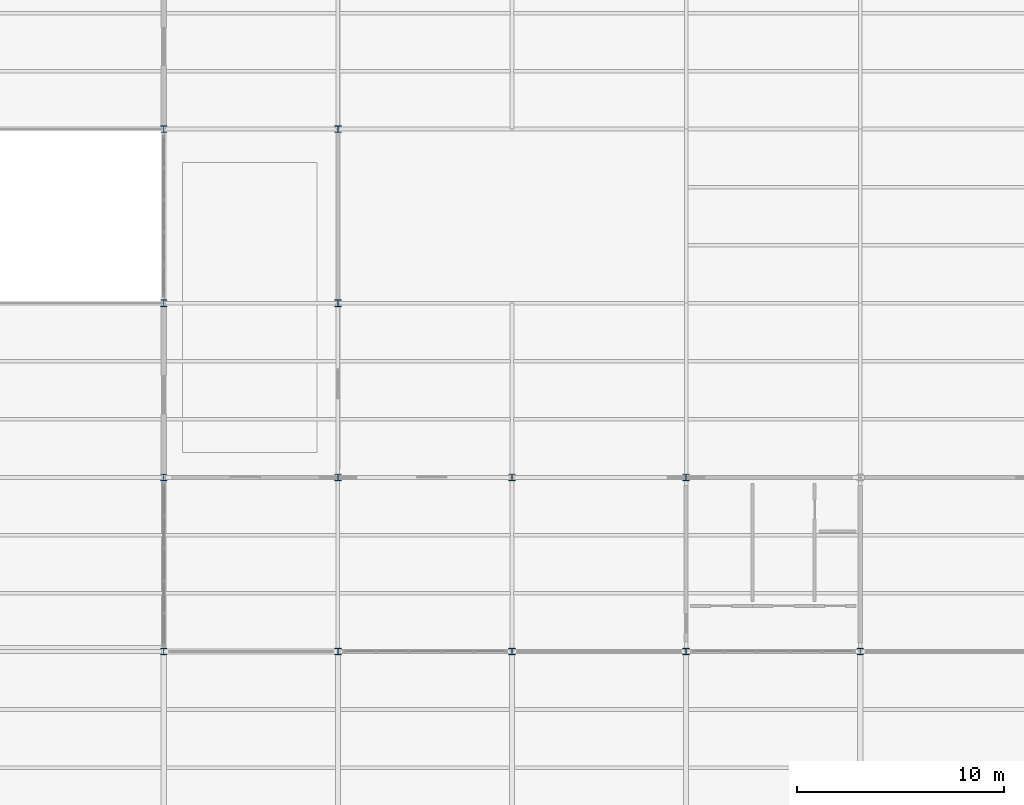
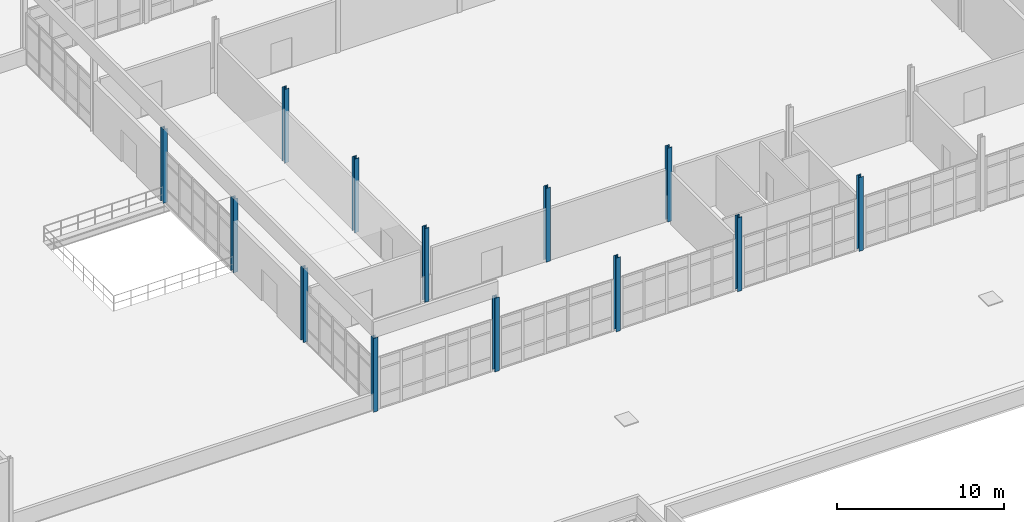
# One storey, part 2 of 33: 13 columns.
"""IFC4 building model written with IfcOpenShell, lengths in metres."""

import ifcopenshell
import ifcopenshell.guid

model = None  # the IFC model being written
_history = None  # IfcOwnerHistory: only IFC2X3 demands one
_inside = {}  # id of a spatial element -> (the spatial element, [elements in it])
_under = {}  # id of a project, library or spatial element -> (it, [spatial elements below it])
_declared = {}  # id of a project -> (the project, [libraries it declares])
_typed = {}  # id of a type object -> (the type object, [elements of that type])
_made_of = {}  # id of a material, layer set ... -> (it, [elements and type objects made of it])


def new_model(schema):
    """Start an empty IFC model of exactly this schema.

    Asked for "IFC4X3", IfcOpenShell would pick the latest addendum, in which some entities
    have other attributes; the version numbers below select the first issue.
    IFC2X3 requires an IfcOwnerHistory on every rooted entity: one is made here for all.
    """
    global model, _history
    if schema == "IFC4X3":
        model = ifcopenshell.file(schema_version=(4, 3, 0, 0))
    else:
        model = ifcopenshell.file(schema=schema)
    _inside.clear()
    _under.clear()
    _declared.clear()
    _typed.clear()
    _made_of.clear()
    _history = None
    if model.schema == "IFC2X3":
        org = make("IfcOrganization", Name="unknown")
        user = make(
            "IfcPersonAndOrganization",
            ThePerson=make("IfcPerson", FamilyName="unknown"),
            TheOrganization=org,
        )
        app = make(
            "IfcApplication",
            ApplicationDeveloper=org,
            Version="unknown",
            ApplicationFullName="unknown",
            ApplicationIdentifier="unknown",
        )
        _history = make(
            "IfcOwnerHistory",
            OwningUser=user,
            OwningApplication=app,
            ChangeAction="ADDED",
            CreationDate=0,
        )
    return model


def make(cls, **values):
    """One entity of the class cls with the attributes given. An attribute that is None is left unset."""
    return model.create_entity(
        cls, **{name: value for name, value in values.items() if value is not None}
    )


def rooted(cls, **values):
    """An entity with a GlobalId (a new one), such as an element, a storey or a relation."""
    return make(cls, GlobalId=ifcopenshell.guid.new(), OwnerHistory=_history, **values)


def si_unit(unit_type, name, prefix=None):
    """IfcSIUnit, for example si_unit("LENGTHUNIT", "METRE", prefix="MILLI")."""
    return make("IfcSIUnit", UnitType=unit_type, Prefix=prefix, Name=name)


def assignment(units):
    """IfcUnitAssignment: the units of a project."""
    return None if units is None else make("IfcUnitAssignment", Units=units)


def point(xyz):
    """IfcCartesianPoint."""
    return None if xyz is None else make("IfcCartesianPoint", Coordinates=xyz)


def direction(xyz):
    """IfcDirection."""
    return None if xyz is None else make("IfcDirection", DirectionRatios=xyz)


def frame(location, z_axis=None, x_axis=None):
    """IfcAxis2Placement3D, a coordinate frame: its origin and axes. An axis left out is left unset."""
    return make(
        "IfcAxis2Placement3D",
        Location=point(location),
        Axis=direction(z_axis),
        RefDirection=direction(x_axis),
    )


def frame_2d(location, x_axis=None):
    """IfcAxis2Placement2D, a coordinate frame in the plane: its origin and x axis."""
    return make(
        "IfcAxis2Placement2D", Location=point(location), RefDirection=direction(x_axis)
    )


def origin():
    """The frame at (0, 0, 0) with its axes left unset."""
    return frame((0.0, 0.0, 0.0))


def origin_2d():
    """The frame at (0, 0) in the plane with its x axis left unset."""
    return frame_2d((0.0, 0.0))


def place(relative_to, where):
    """IfcLocalPlacement: puts the frame where relative to a parent placement (None: the world)."""
    return make(
        "IfcLocalPlacement", PlacementRelTo=relative_to, RelativePlacement=where
    )


def context(
    kind, dimensions, precision=None, world=None, true_north=None, identifier=None
):
    """IfcGeometricRepresentationContext, for example the 3D "Model" context."""
    return make(
        "IfcGeometricRepresentationContext",
        ContextIdentifier=identifier,
        ContextType=kind,
        CoordinateSpaceDimension=dimensions,
        Precision=precision,
        WorldCoordinateSystem=world,
        TrueNorth=true_north,
    )


def subcontext(parent, identifier, kind, view, scale=None):
    """IfcGeometricRepresentationSubContext, for example "Body" below "Model"."""
    return make(
        "IfcGeometricRepresentationSubContext",
        ContextIdentifier=identifier,
        ContextType=kind,
        ParentContext=parent,
        TargetScale=scale,
        TargetView=view,
    )


def project(units=None, contexts=None):
    """IfcProject with its units and contexts."""
    return rooted(
        "IfcProject",
        Name="project",
        RepresentationContexts=contexts,
        UnitsInContext=assignment(units),
    )


def spatial(cls, under=None, at=None, **own):
    """A site, building, storey or space (cls), placed at a placement, below another one or the project."""
    s = rooted(cls, ObjectPlacement=at, **own)
    if under is not None:
        _under.setdefault(under.id(), (under, []))[1].append(s)
    return s


def profile(cls, at=None, kind="AREA", **sizes):
    """A parametric profile (cls). Its sizes go by their IFC names, for example OverallWidth=200.0."""
    return make(cls, ProfileType=kind, Position=at, **sizes)


def i_section(**sizes):
    """IfcIShapeProfileDef."""
    return profile("IfcIShapeProfileDef", **sizes)


def extrude(swept, where, along, depth):
    """IfcExtrudedAreaSolid: the profile swept, set in the frame where, extruded along a direction by depth."""
    return make(
        "IfcExtrudedAreaSolid",
        SweptArea=swept,
        Position=where,
        ExtrudedDirection=direction(along),
        Depth=depth,
    )


def shape(context_of_items, identifier, shape_type, items):
    """IfcShapeRepresentation: the items that make up one representation, for example the "Body"."""
    return make(
        "IfcShapeRepresentation",
        ContextOfItems=context_of_items,
        RepresentationIdentifier=identifier,
        RepresentationType=shape_type,
        Items=items,
    )


def material(Name=None, Category=None):
    """IfcMaterial."""
    return make("IfcMaterial", Name=Name, Category=Category)


def material_profile(
    of_material, cross_section, Name=None, Category=None, Priority=None
):
    """IfcMaterialProfile: a cross section and its material."""
    return make(
        "IfcMaterialProfile",
        Name=Name,
        Material=of_material,
        Profile=cross_section,
        Priority=Priority,
        Category=Category,
    )


def profile_set(profiles, Name=None, composite=None):
    """IfcMaterialProfileSet."""
    return make(
        "IfcMaterialProfileSet",
        Name=Name,
        MaterialProfiles=profiles,
        CompositeProfile=composite,
    )


def made_of(thing, what):
    """Note that an element or type object is made of a material, layer set ...; save() writes the relation."""
    if what is not None:
        _made_of.setdefault(what.id(), (what, []))[1].append(thing)
    return thing


def type_object(cls, material=None, **own):
    """A type object (cls), such as IfcWallType, which elements share."""
    return made_of(rooted(cls, **own), material)


def element(
    cls,
    number,
    at=None,
    inside=None,
    cuts=None,
    type_object=None,
    material=None,
    context=None,
    identifier="Body",
    shape_type=None,
    held_by="IfcProductDefinitionShape",
    body=None,
    shapes=None,
    **own,
):
    """One element of the class cls, such as IfcWall. Its Tag is "e" and its number.

    at: its placement. inside: the storey or other place that contains it. cuts: it is an
    opening in that element (IfcRelVoidsElement). A single representation is given by context,
    identifier, shape_type and body (its items); several are given by shapes. held_by: the class
    of the entity that holds the representations. save() writes the other relations.
    """
    e = rooted(cls, Tag="e%d" % number, ObjectPlacement=at, **own)
    if body is not None:
        shapes = [shape(context, identifier, shape_type, body)]
    if shapes is not None:
        e.Representation = make(held_by, Representations=shapes)
    if inside is not None:
        _inside.setdefault(inside.id(), (inside, []))[1].append(e)
    if cuts is not None:
        rooted(
            "IfcRelVoidsElement", RelatingBuildingElement=cuts, RelatedOpeningElement=e
        )
    if type_object is not None:
        _typed.setdefault(type_object.id(), (type_object, []))[1].append(e)
    return made_of(e, material)


def aggregate(whole, parts):
    """IfcRelAggregates: a whole, such as a stair, and the parts it consists of."""
    return rooted("IfcRelAggregates", RelatingObject=whole, RelatedObjects=parts)


def save(model, path):
    """Write the relations noted so far, then the file.

    IfcRelAggregates (storeys below a building ...), IfcRelContainedInSpatialStructure (elements
    in a storey), IfcRelDefinesByType, IfcRelAssociatesMaterial and IfcRelDeclares: one each for
    every whole, place, type object, material and project.
    """
    for whole, parts in _under.values():
        aggregate(whole, parts)
    for where, things in _inside.values():
        rooted(
            "IfcRelContainedInSpatialStructure",
            RelatedElements=things,
            RelatingStructure=where,
        )
    for kind, things in _typed.values():
        rooted("IfcRelDefinesByType", RelatedObjects=things, RelatingType=kind)
    for what, things in _made_of.values():
        rooted("IfcRelAssociatesMaterial", RelatedObjects=things, RelatingMaterial=what)
    for by, libraries in _declared.values():
        rooted("IfcRelDeclares", RelatingContext=by, RelatedDefinitions=libraries)
    model.write(path)


model = new_model("IFC4")

# Units and contexts
model_context = context("Model", 3, precision=1e-05, world=origin(), true_north=direction((0.0, 1.0)))
body_context = subcontext(model_context, "Body", "Model", "MODEL_VIEW")
ifc_project = project(units=[si_unit("LENGTHUNIT", "METRE"), si_unit("AREAUNIT", "SQUARE_METRE"), si_unit("VOLUMEUNIT", "CUBIC_METRE"), si_unit("PLANEANGLEUNIT", "RADIAN"), si_unit("MASSUNIT", "GRAM", prefix="KILO"), si_unit("THERMODYNAMICTEMPERATUREUNIT", "KELVIN"), si_unit("POWERUNIT", "WATT")], contexts=[model_context])

# Site, building, storey
site_placement = place(None, origin())
site = spatial("IfcSite", under=ifc_project, at=site_placement, CompositionType="ELEMENT")
building_placement = place(site_placement, origin())
building = spatial("IfcBuilding", under=site, at=building_placement, Name="Tembeka Court Mobility Hub", CompositionType="ELEMENT")
storey_placement = place(building_placement, frame((0.0, 0.0, 23.39990234375)))
storey = spatial("IfcBuildingStorey", under=building, at=storey_placement, Name="L06", CompositionType="ELEMENT", Elevation=23.39990234375)

# Columns
ifc_material = material(Name="Steel S355", Category="steel")
ifc_material_profile = material_profile(ifc_material, i_section(OverallWidth=0.30908203125, OverallDepth=0.321044921875, WebThickness=0.013916015625, FlangeThickness=0.021728515625, FilletRadius=0.01513671875, at=origin_2d()), Name="UKC 305x305x137")
ifc_profile_set = profile_set([ifc_material_profile], Name="Steel S355")
column_type = type_object("IfcColumnType", Name="COL-C04", PredefinedType="COLUMN", material=ifc_profile_set)
for number, where, z_axis, x_axis, name in (
    (1, (33.60009765625, 38.39990234375, 0.0), (0.0, 0.0, 1.0), (1.0, 0.0, 0.0), "Column C04 (L06-050)"),
    (2, (33.60009765625, 46.800048828125, 0.0), (0.0, 0.0, 1.0), (1.0, 0.0, 0.0), "Column C04 (L06-051)"),
    (3, (33.60009765625, 55.199951171875, 0.0), (0.0, 0.0, 1.0), (1.0, 0.0, 0.0), "Column C04 (L06-052)"),
    (4, (33.60009765625, 63.60009765625, 0.0), (0.0, 0.0, 1.0), (1.0, 0.0, 0.0), "Column C04 (L06-053)"),
    (5, (42.0, 38.39990234375, 0.0), (0.0, 0.0, 1.0), (1.0, 0.0, 0.0), "Column C04 (L06-062)"),
    (6, (42.0, 46.800048828125, 0.0), (0.0, 0.0, 1.0), (1.0, 0.0, 0.0), "Column C04 (L06-063)"),
    (7, (42.0, 55.199951171875, 0.0), (0.0, 0.0, 1.0), (1.0, 0.0, 0.0), "Column C04 (L06-064)"),
    (8, (42.0, 63.60009765625, 0.0), (0.0, 0.0, 1.0), (1.0, 0.0, 0.0), "Column C04 (L06-065)"),
    (9, (50.39990234375, 38.39990234375, 0.0), (0.0, 0.0, 1.0), (1.0, 0.0, 0.0), "Column C04 (L06-074)"),
    (10, (50.39990234375, 46.800048828125, 0.0), (0.0, 0.0, 1.0), (1.0, 0.0, 0.0), "Column C04 (L06-075)"),
    (11, (58.800048828125, 38.39990234375, 0.0), (0.0, 0.0, 1.0), (1.0, 0.0, 0.0), "Column C04 (L06-085)"),
    (12, (58.800048828125, 46.800048828125, 0.0), (0.0, 0.0, 1.0), (1.0, 0.0, 0.0), "Column C04 (L06-086)"),
    (13, (67.199951171875, 38.39990234375, 0.0), (0.0, 0.0, 1.0), (1.0, 0.0, 0.0), "Column C04 (L06-095)"),
):
    element("IfcColumn", number, at=place(storey_placement, frame(where, z_axis=z_axis, x_axis=x_axis)), inside=storey, type_object=column_type, Name=name, PredefinedType="COLUMN", context=body_context, shape_type="SweptSolid", body=[
        extrude(i_section(OverallWidth=0.30908203125, OverallDepth=0.321044921875, WebThickness=0.013916015625, FlangeThickness=0.021728515625, FilletRadius=0.01513671875, at=origin_2d()), origin(), (0.0, 0.0, 1.0), 5.400146484375),
    ])

save(model, "model.ifc")
